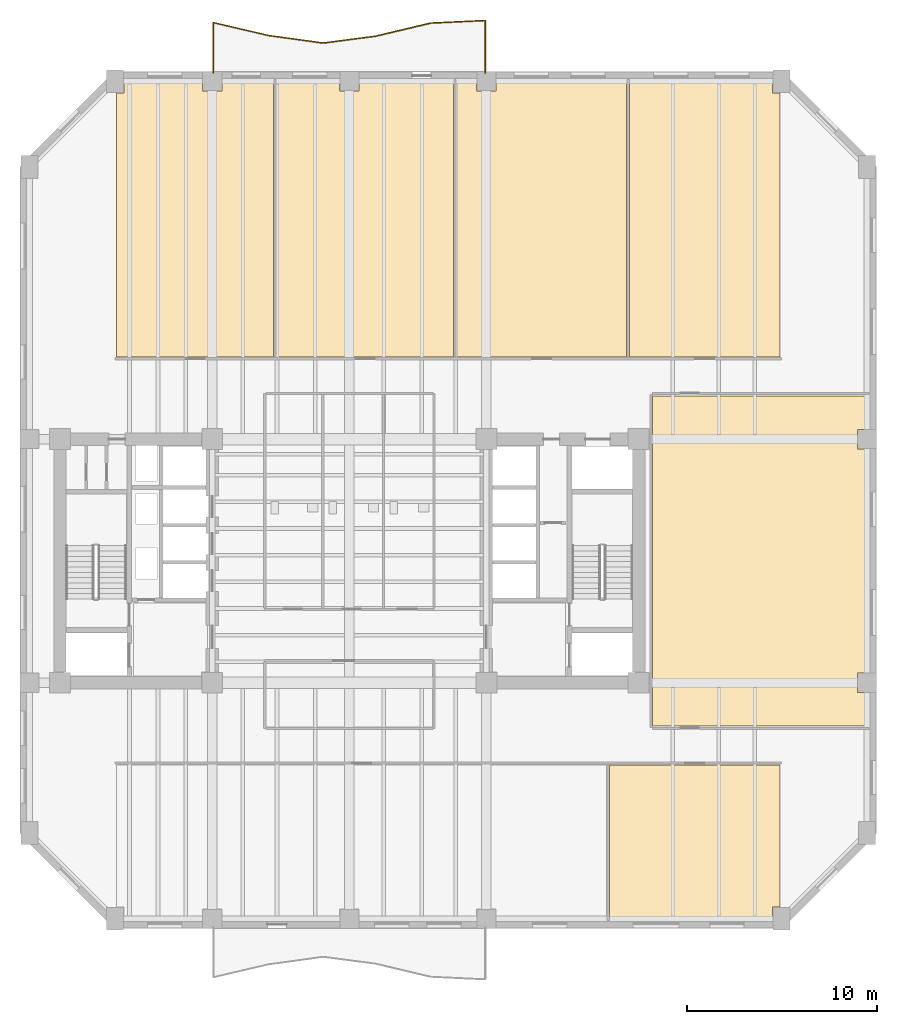
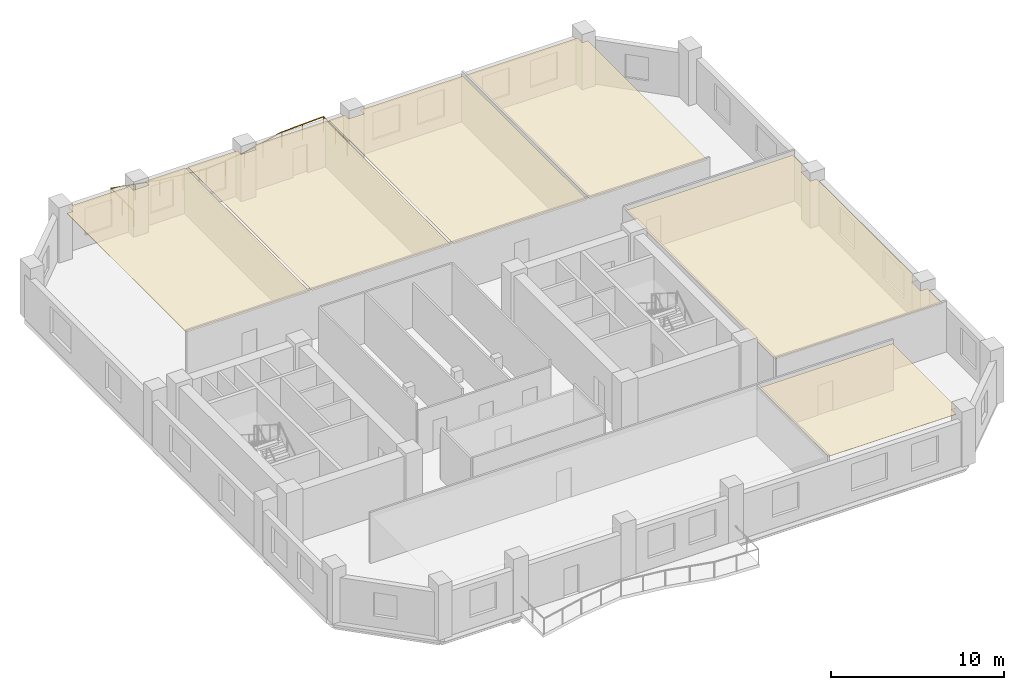
# One storey, part 7 of 8: 6 coverings, 1 railing.
"""IFC4 building model written with IfcOpenShell, lengths in metres."""

import ifcopenshell
import ifcopenshell.guid

model = None  # the IFC model being written
_history = None  # IfcOwnerHistory: only IFC2X3 demands one
_inside = {}  # id of a spatial element -> (the spatial element, [elements in it])
_under = {}  # id of a project, library or spatial element -> (it, [spatial elements below it])
_declared = {}  # id of a project -> (the project, [libraries it declares])
_typed = {}  # id of a type object -> (the type object, [elements of that type])
_made_of = {}  # id of a material, layer set ... -> (it, [elements and type objects made of it])


def new_model(schema):
    """Start an empty IFC model of exactly this schema.

    Asked for "IFC4X3", IfcOpenShell would pick the latest addendum, in which some entities
    have other attributes; the version numbers below select the first issue.
    IFC2X3 requires an IfcOwnerHistory on every rooted entity: one is made here for all.
    """
    global model, _history
    if schema == "IFC4X3":
        model = ifcopenshell.file(schema_version=(4, 3, 0, 0))
    else:
        model = ifcopenshell.file(schema=schema)
    _inside.clear()
    _under.clear()
    _declared.clear()
    _typed.clear()
    _made_of.clear()
    _history = None
    if model.schema == "IFC2X3":
        org = make("IfcOrganization", Name="unknown")
        user = make(
            "IfcPersonAndOrganization",
            ThePerson=make("IfcPerson", FamilyName="unknown"),
            TheOrganization=org,
        )
        app = make(
            "IfcApplication",
            ApplicationDeveloper=org,
            Version="unknown",
            ApplicationFullName="unknown",
            ApplicationIdentifier="unknown",
        )
        _history = make(
            "IfcOwnerHistory",
            OwningUser=user,
            OwningApplication=app,
            ChangeAction="ADDED",
            CreationDate=0,
        )
    return model


def make(cls, **values):
    """One entity of the class cls with the attributes given. An attribute that is None is left unset."""
    return model.create_entity(
        cls, **{name: value for name, value in values.items() if value is not None}
    )


def rooted(cls, **values):
    """An entity with a GlobalId (a new one), such as an element, a storey or a relation."""
    return make(cls, GlobalId=ifcopenshell.guid.new(), OwnerHistory=_history, **values)


def si_unit(unit_type, name, prefix=None):
    """IfcSIUnit, for example si_unit("LENGTHUNIT", "METRE", prefix="MILLI")."""
    return make("IfcSIUnit", UnitType=unit_type, Prefix=prefix, Name=name)


def assignment(units):
    """IfcUnitAssignment: the units of a project."""
    return None if units is None else make("IfcUnitAssignment", Units=units)


def point(xyz):
    """IfcCartesianPoint."""
    return None if xyz is None else make("IfcCartesianPoint", Coordinates=xyz)


def direction(xyz):
    """IfcDirection."""
    return None if xyz is None else make("IfcDirection", DirectionRatios=xyz)


def frame(location, z_axis=None, x_axis=None):
    """IfcAxis2Placement3D, a coordinate frame: its origin and axes. An axis left out is left unset."""
    return make(
        "IfcAxis2Placement3D",
        Location=point(location),
        Axis=direction(z_axis),
        RefDirection=direction(x_axis),
    )


def frame_2d(location, x_axis=None):
    """IfcAxis2Placement2D, a coordinate frame in the plane: its origin and x axis."""
    return make(
        "IfcAxis2Placement2D", Location=point(location), RefDirection=direction(x_axis)
    )


def origin():
    """The frame at (0, 0, 0) with its axes left unset."""
    return frame((0.0, 0.0, 0.0))


def origin_2d():
    """The frame at (0, 0) in the plane with its x axis left unset."""
    return frame_2d((0.0, 0.0))


def place(relative_to, where):
    """IfcLocalPlacement: puts the frame where relative to a parent placement (None: the world)."""
    return make(
        "IfcLocalPlacement", PlacementRelTo=relative_to, RelativePlacement=where
    )


def context(
    kind, dimensions, precision=None, world=None, true_north=None, identifier=None
):
    """IfcGeometricRepresentationContext, for example the 3D "Model" context."""
    return make(
        "IfcGeometricRepresentationContext",
        ContextIdentifier=identifier,
        ContextType=kind,
        CoordinateSpaceDimension=dimensions,
        Precision=precision,
        WorldCoordinateSystem=world,
        TrueNorth=true_north,
    )


def subcontext(parent, identifier, kind, view, scale=None):
    """IfcGeometricRepresentationSubContext, for example "Body" below "Model"."""
    return make(
        "IfcGeometricRepresentationSubContext",
        ContextIdentifier=identifier,
        ContextType=kind,
        ParentContext=parent,
        TargetScale=scale,
        TargetView=view,
    )


def project(units=None, contexts=None):
    """IfcProject with its units and contexts."""
    return rooted(
        "IfcProject",
        Name="project",
        RepresentationContexts=contexts,
        UnitsInContext=assignment(units),
    )


def spatial(cls, under=None, at=None, **own):
    """A site, building, storey or space (cls), placed at a placement, below another one or the project."""
    s = rooted(cls, ObjectPlacement=at, **own)
    if under is not None:
        _under.setdefault(under.id(), (under, []))[1].append(s)
    return s


def polyline(points):
    """IfcPolyline through the points."""
    return make("IfcPolyline", Points=[point(p) for p in points])


def profile(cls, at=None, kind="AREA", **sizes):
    """A parametric profile (cls). Its sizes go by their IFC names, for example OverallWidth=200.0."""
    return make(cls, ProfileType=kind, Position=at, **sizes)


def circle(**sizes):
    """IfcCircleProfileDef."""
    return profile("IfcCircleProfileDef", **sizes)


def outline(outer, holes=None, kind="AREA"):
    """IfcArbitraryClosedProfileDef: a profile drawn as a closed curve; with holes, ...WithVoids."""
    if holes is None:
        return make("IfcArbitraryClosedProfileDef", ProfileType=kind, OuterCurve=outer)
    return make(
        "IfcArbitraryProfileDefWithVoids",
        ProfileType=kind,
        OuterCurve=outer,
        InnerCurves=holes,
    )


def extrude(swept, where, along, depth):
    """IfcExtrudedAreaSolid: the profile swept, set in the frame where, extruded along a direction by depth."""
    return make(
        "IfcExtrudedAreaSolid",
        SweptArea=swept,
        Position=where,
        ExtrudedDirection=direction(along),
        Depth=depth,
    )


def shape(context_of_items, identifier, shape_type, items):
    """IfcShapeRepresentation: the items that make up one representation, for example the "Body"."""
    return make(
        "IfcShapeRepresentation",
        ContextOfItems=context_of_items,
        RepresentationIdentifier=identifier,
        RepresentationType=shape_type,
        Items=items,
    )


def material(Name=None, Category=None):
    """IfcMaterial."""
    return make("IfcMaterial", Name=Name, Category=Category)


def layer(
    of_material, thickness, ventilated=None, Name=None, Category=None, Priority=None
):
    """IfcMaterialLayer: one layer of a wall or slab, of a material (None: an air gap)."""
    return make(
        "IfcMaterialLayer",
        Material=of_material,
        LayerThickness=thickness,
        IsVentilated=ventilated,
        Name=Name,
        Category=Category,
        Priority=Priority,
    )


def layer_set(layers, Name=None):
    """IfcMaterialLayerSet."""
    return make("IfcMaterialLayerSet", MaterialLayers=layers, LayerSetName=Name)


def made_of(thing, what):
    """Note that an element or type object is made of a material, layer set ...; save() writes the relation."""
    if what is not None:
        _made_of.setdefault(what.id(), (what, []))[1].append(thing)
    return thing


def type_object(cls, material=None, **own):
    """A type object (cls), such as IfcWallType, which elements share."""
    return made_of(rooted(cls, **own), material)


def element(
    cls,
    number,
    at=None,
    inside=None,
    cuts=None,
    type_object=None,
    material=None,
    context=None,
    identifier="Body",
    shape_type=None,
    held_by="IfcProductDefinitionShape",
    body=None,
    shapes=None,
    **own,
):
    """One element of the class cls, such as IfcWall. Its Tag is "e" and its number.

    at: its placement. inside: the storey or other place that contains it. cuts: it is an
    opening in that element (IfcRelVoidsElement). A single representation is given by context,
    identifier, shape_type and body (its items); several are given by shapes. held_by: the class
    of the entity that holds the representations. save() writes the other relations.
    """
    e = rooted(cls, Tag="e%d" % number, ObjectPlacement=at, **own)
    if body is not None:
        shapes = [shape(context, identifier, shape_type, body)]
    if shapes is not None:
        e.Representation = make(held_by, Representations=shapes)
    if inside is not None:
        _inside.setdefault(inside.id(), (inside, []))[1].append(e)
    if cuts is not None:
        rooted(
            "IfcRelVoidsElement", RelatingBuildingElement=cuts, RelatedOpeningElement=e
        )
    if type_object is not None:
        _typed.setdefault(type_object.id(), (type_object, []))[1].append(e)
    return made_of(e, material)


def aggregate(whole, parts):
    """IfcRelAggregates: a whole, such as a stair, and the parts it consists of."""
    return rooted("IfcRelAggregates", RelatingObject=whole, RelatedObjects=parts)


def save(model, path):
    """Write the relations noted so far, then the file.

    IfcRelAggregates (storeys below a building ...), IfcRelContainedInSpatialStructure (elements
    in a storey), IfcRelDefinesByType, IfcRelAssociatesMaterial and IfcRelDeclares: one each for
    every whole, place, type object, material and project.
    """
    for whole, parts in _under.values():
        aggregate(whole, parts)
    for where, things in _inside.values():
        rooted(
            "IfcRelContainedInSpatialStructure",
            RelatedElements=things,
            RelatingStructure=where,
        )
    for kind, things in _typed.values():
        rooted("IfcRelDefinesByType", RelatedObjects=things, RelatingType=kind)
    for what, things in _made_of.values():
        rooted("IfcRelAssociatesMaterial", RelatedObjects=things, RelatingMaterial=what)
    for by, libraries in _declared.values():
        rooted("IfcRelDeclares", RelatingContext=by, RelatedDefinitions=libraries)
    model.write(path)


model = new_model("IFC4")

# Units and contexts
model_context = context("Model", 3, precision=1e-05, world=origin(), true_north=direction((0.0, 1.0)))
body_context = subcontext(model_context, "Body", "Model", "MODEL_VIEW")
ifc_project = project(units=[si_unit("LENGTHUNIT", "METRE"), si_unit("AREAUNIT", "SQUARE_METRE"), si_unit("VOLUMEUNIT", "CUBIC_METRE"), si_unit("PLANEANGLEUNIT", "RADIAN"), si_unit("MASSUNIT", "GRAM", prefix="KILO")], contexts=[model_context])

# Site, building, storey
site_placement = place(None, origin())
site = spatial("IfcSite", under=ifc_project, at=site_placement, CompositionType="ELEMENT")
building_placement = place(site_placement, origin())
building = spatial("IfcBuilding", under=site, at=building_placement, Name="Kranthara Brick Stack", CompositionType="ELEMENT")
storey_placement = place(building_placement, frame((0.0, 0.0, 75.0)))
storey = spatial("IfcBuildingStorey", under=building, at=storey_placement, Name="L18", CompositionType="ELEMENT", Elevation=75.0)

# Coverings
ifc_material_1 = material(Name="Perforated mineral-fibre acoustic ceiling tile", Category="other")
ifc_layer = layer(ifc_material_1, 0.02490234375)
ifc_layer_set = layer_set([ifc_layer], Name="Perforated mineral-fibre acoustic ceiling tile")
covering_type = type_object("IfcCoveringType", Name="COV-CEIL-ACOUSTIC", PredefinedType="CEILING", material=ifc_layer_set)
covering_1_placement = place(storey_placement, frame((0.0, 0.0, 3.330078125)))
element("IfcCovering", 1, at=covering_1_placement, inside=storey, type_object=covering_type, Name="L18 L18 Staff Pantry 2 Acoustic Ceiling", PredefinedType="CEILING", context=body_context, shape_type="SweptSolid", body=[
    extrude(outline(polyline([(41.679931640625, 8.469970703125), (41.679931640625, 16.47998046875), (50.6201171875, 16.47998046875), (50.6201171875, 9.010009765625), (50.239990234375, 9.010009765625), (50.239990234375, 8.469970703125), (41.679931640625, 8.469970703125)])), origin(), (0.0, 0.0, 1.0), 0.02490234375),
])
covering_2_placement = place(storey_placement, frame((0.0, 0.0, 3.330078125)))
element("IfcCovering", 2, at=covering_2_placement, inside=storey, type_object=covering_type, Name="L18 L18 Executive Cellular Office 1 Acoustic Ceiling", PredefinedType="CEILING", context=body_context, shape_type="SweptSolid", body=[
    extrude(outline(polyline([(24.02001953125, 37.919921875), (15.780029296875, 37.919921875), (15.780029296875, 51.7900390625), (16.159912109375, 51.7900390625), (16.159912109375, 52.330078125), (20.2900390625, 52.330078125), (20.2900390625, 51.889892578125), (21.31005859375, 51.889892578125), (21.31005859375, 52.330078125), (24.02001953125, 52.330078125), (24.02001953125, 37.919921875)])), origin(), (0.0, 0.0, 1.0), 0.02490234375),
])
covering_3_placement = place(storey_placement, frame((0.0, 0.0, 3.330078125)))
element("IfcCovering", 3, at=covering_3_placement, inside=storey, type_object=covering_type, Name="L18 L18 Meeting Room 2 Acoustic Ceiling", PredefinedType="CEILING", context=body_context, shape_type="SweptSolid", body=[
    extrude(outline(polyline([(33.469970703125, 52.330078125), (33.469970703125, 37.919921875), (24.179931640625, 37.919921875), (24.179931640625, 52.330078125), (27.489990234375, 52.330078125), (27.489990234375, 51.889892578125), (28.510009765625, 51.889892578125), (28.510009765625, 52.330078125), (33.469970703125, 52.330078125)])), origin(), (0.0, 0.0, 1.0), 0.02490234375),
])
covering_4_placement = place(storey_placement, frame((0.0, 0.0, 3.330078125)))
element("IfcCovering", 4, at=covering_4_placement, inside=storey, type_object=covering_type, Name="L18 L18 Boardroom 3 Acoustic Ceiling", PredefinedType="CEILING", context=body_context, shape_type="SweptSolid", body=[
    extrude(outline(polyline([(42.570068359375, 52.330078125), (42.570068359375, 37.919921875), (33.6298828125, 37.919921875), (33.6298828125, 52.330078125), (34.68994140625, 52.330078125), (34.68994140625, 51.889892578125), (35.7099609375, 51.889892578125), (35.7099609375, 52.330078125), (42.570068359375, 52.330078125)])), origin(), (0.0, 0.0, 1.0), 0.02490234375),
])
covering_5_placement = place(storey_placement, frame((0.0, 0.0, 3.330078125)))
element("IfcCovering", 5, at=covering_5_placement, inside=storey, type_object=covering_type, Name="L18 L18 Collaboration Lounge 4 Acoustic Ceiling", PredefinedType="CEILING", context=body_context, shape_type="SweptSolid", body=[
    extrude(outline(polyline([(50.6201171875, 37.919921875), (42.72998046875, 37.919921875), (42.72998046875, 52.330078125), (50.239990234375, 52.330078125), (50.239990234375, 51.7900390625), (50.6201171875, 51.7900390625), (50.6201171875, 37.919921875)])), origin(), (0.0, 0.0, 1.0), 0.02490234375),
])
covering_6_placement = place(storey_placement, frame((0.0, 0.0, 3.330078125)))
element("IfcCovering", 6, at=covering_6_placement, inside=storey, type_object=covering_type, Name="L18 L18 East Client Office 1 Acoustic Ceiling", PredefinedType="CEILING", context=body_context, shape_type="SweptSolid", body=[
    extrude(outline(polyline([(43.919921875, 18.5400390625), (43.919921875, 35.860107421875), (55.1298828125, 35.860107421875), (55.1298828125, 34.110107421875), (54.68994140625, 34.110107421875), (54.68994140625, 33.090087890625), (55.1298828125, 33.090087890625), (55.1298828125, 21.31005859375), (54.68994140625, 21.31005859375), (54.68994140625, 20.2900390625), (55.1298828125, 20.2900390625), (55.1298828125, 18.5400390625), (43.919921875, 18.5400390625)])), origin(), (0.0, 0.0, 1.0), 0.02490234375),
])

# Railing
ifc_material_2 = material(Name="Bronze anodised aluminium and laminated glass balustrade", Category="aluminium")
railing_type = type_object("IfcRailingType", Name="RL-BALC-1120", PredefinedType="BALUSTRADE", material=ifc_material_2)
railing_placement = place(storey_placement, frame((20.860107421875, 52.840087890625, 0.0)))
element("IfcRailing", 7, at=railing_placement, inside=storey, type_object=railing_type, Name="L18 North Rippling Balcony Balustrade", PredefinedType="BALUSTRADE", context=body_context, shape_type="SweptSolid", body=[
    extrude(circle(Radius=0.02392578125, at=origin_2d()), frame((0.0, 0.0, 1.09619140625), z_axis=(-0.00018484288, 0.999999982917, 0.0), x_axis=(-0.999999982917, -0.00018484288, 0.0)), (0.0, 0.0, 1.0), 2.6416015625),
    extrude(circle(Radius=0.02392578125, at=origin_2d()), frame((-0.00048828125, 2.6416015625, 1.09619140625), z_axis=(0.973527437764, -0.228570181608, 0.0), x_axis=(0.228570181608, 0.973527437764, 0.0)), (0.0, 0.0, 1.0), 2.958740234375),
    extrude(circle(Radius=0.02392578125, at=origin_2d()), frame((2.8798828125, 1.96533203125, 1.09619140625), z_axis=(0.990517367354, -0.137387572106, 0.0), x_axis=(0.137387572106, 0.990517367354, 0.0)), (0.0, 0.0, 1.0), 2.9072265625),
    extrude(circle(Radius=0.02392578125, at=origin_2d()), frame((5.759521484375, 1.56591796875, 1.09619140625), z_axis=(0.99153526751, 0.129837642014, 0.0), x_axis=(-0.129837642014, 0.99153526751, 0.0)), (0.0, 0.0, 1.0), 2.784912109375),
    extrude(circle(Radius=0.02392578125, at=origin_2d()), frame((8.520751953125, 1.927490234375, 1.09619140625), z_axis=(0.972825675309, 0.231538777443, 0.0), x_axis=(-0.231538777443, 0.972825675309, 0.0)), (0.0, 0.0, 1.0), 2.9609375),
    extrude(circle(Radius=0.02392578125, at=origin_2d()), frame((11.401123046875, 2.613037109375, 1.09619140625), z_axis=(0.998850441051, 0.047935335733, 0.0), x_axis=(-0.047935335733, 0.998850441051, 0.0)), (0.0, 0.0, 1.0), 2.8828125),
    extrude(circle(Radius=0.02392578125, at=origin_2d()), frame((14.280517578125, 2.751220703125, 1.09619140625), z_axis=(-0.000266217046, -0.999999964564, 0.0), x_axis=(0.999999964564, -0.000266217046, 0.0)), (0.0, 0.0, 1.0), 2.751220703125),
    extrude(circle(Radius=0.02099609375, at=origin_2d()), origin(), (0.0, 0.0, 1.0), 1.072021484375),
    extrude(circle(Radius=0.02099609375, at=origin_2d()), frame((-0.000244140625, 1.32080078125, 0.0)), (0.0, 0.0, 1.0), 1.072021484375),
    extrude(circle(Radius=0.02099609375, at=origin_2d()), frame((-0.00048828125, 2.6416015625, 0.0)), (0.0, 0.0, 1.0), 1.072021484375),
    extrude(circle(Radius=0.02099609375, at=origin_2d()), frame((1.439697265625, 2.303466796875, 0.0)), (0.0, 0.0, 1.0), 1.072021484375),
    extrude(circle(Radius=0.02099609375, at=origin_2d()), frame((2.8798828125, 1.96533203125, 0.0)), (0.0, 0.0, 1.0), 1.072021484375),
    extrude(circle(Radius=0.02099609375, at=origin_2d()), frame((4.31982421875, 1.765625, 0.0)), (0.0, 0.0, 1.0), 1.072021484375),
    extrude(circle(Radius=0.02099609375, at=origin_2d()), frame((5.759521484375, 1.56591796875, 0.0)), (0.0, 0.0, 1.0), 1.072021484375),
    extrude(circle(Radius=0.02099609375, at=origin_2d()), frame((7.14013671875, 1.74658203125, 0.0)), (0.0, 0.0, 1.0), 1.072021484375),
    extrude(circle(Radius=0.02099609375, at=origin_2d()), frame((8.520751953125, 1.927490234375, 0.0)), (0.0, 0.0, 1.0), 1.072021484375),
    extrude(circle(Radius=0.02099609375, at=origin_2d()), frame((9.9609375, 2.270263671875, 0.0)), (0.0, 0.0, 1.0), 1.072021484375),
    extrude(circle(Radius=0.02099609375, at=origin_2d()), frame((11.401123046875, 2.613037109375, 0.0)), (0.0, 0.0, 1.0), 1.072021484375),
    extrude(circle(Radius=0.02099609375, at=origin_2d()), frame((12.8408203125, 2.68212890625, 0.0)), (0.0, 0.0, 1.0), 1.072021484375),
    extrude(circle(Radius=0.02099609375, at=origin_2d()), frame((14.280517578125, 2.751220703125, 0.0)), (0.0, 0.0, 1.0), 1.072021484375),
    extrude(circle(Radius=0.02099609375, at=origin_2d()), frame((14.2802734375, 1.37548828125, 0.0)), (0.0, 0.0, 1.0), 1.072021484375),
    extrude(circle(Radius=0.02099609375, at=origin_2d()), frame((14.27978515625, 0.0, 0.0)), (0.0, 0.0, 1.0), 1.072021484375),
])

save(model, "model.ifc")
